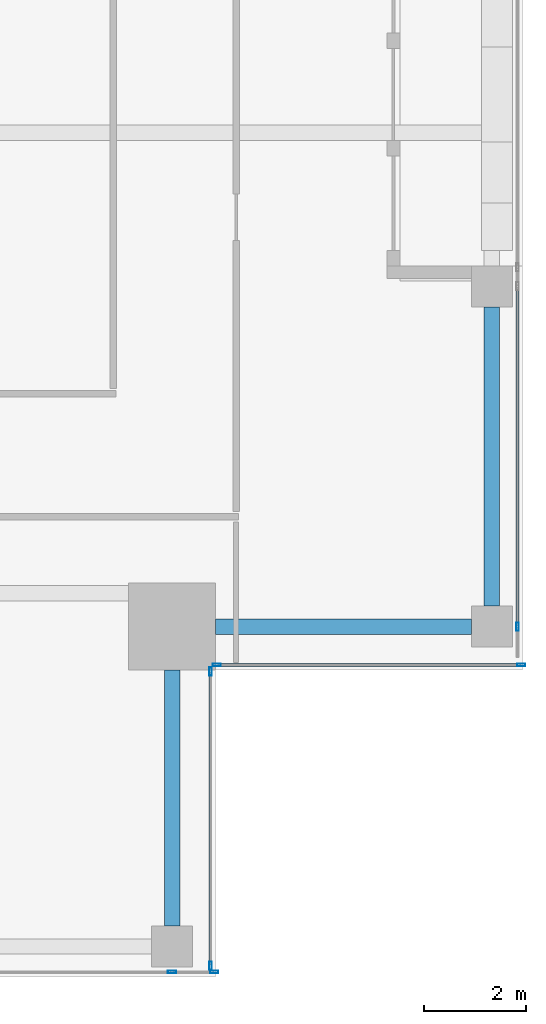
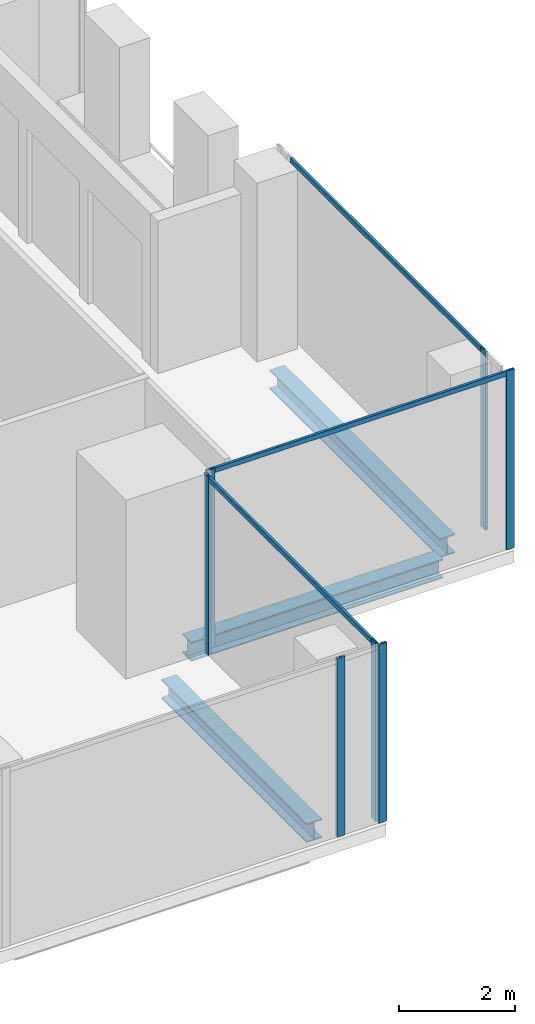
# One storey, part 9 of 29: 10 members, 3 beams, 4 elements without a shape of their own.
"""IFC4 building model written with IfcOpenShell, lengths in metres."""

from ifc_helpers import new_model, si_unit, direction, frame, origin, origin_2d, place, context, subcontext, project, spatial, hollow_rectangle, i_section, extrude, source, transform, mapped, material, material_profile, profile_set, type_object, element, aggregate, save


model = new_model("IFC4")

# Units and contexts
model_context = context("Model", 3, precision=1e-05, world=origin(), true_north=direction((0.0, 1.0)))
body_context = subcontext(model_context, "Body", "Model", "MODEL_VIEW")
ifc_project = project(units=[si_unit("LENGTHUNIT", "METRE"), si_unit("AREAUNIT", "SQUARE_METRE"), si_unit("VOLUMEUNIT", "CUBIC_METRE"), si_unit("PLANEANGLEUNIT", "RADIAN"), si_unit("MASSUNIT", "GRAM", prefix="KILO")], contexts=[model_context])

# Site, building, storey
site_placement = place(None, origin())
site = spatial("IfcSite", under=ifc_project, at=site_placement, CompositionType="ELEMENT")
building_placement = place(site_placement, origin())
building = spatial("IfcBuilding", under=site, at=building_placement, Name="Khomas Fold Tower", CompositionType="ELEMENT")
storey_placement = place(building_placement, frame((0.0, 0.0, 322.199951171875)))
storey = spatial("IfcBuildingStorey", under=building, at=storey_placement, Name="L73", CompositionType="ELEMENT", Elevation=322.199951171875)

# Beams
ifc_material_1 = material(Name="Steel S355", Category="steel")
ifc_material_profile_1 = material_profile(ifc_material_1, i_section(OverallWidth=0.300048828125, OverallDepth=0.39990234375, WebThickness=0.013427734375, FlangeThickness=0.02392578125, at=origin_2d()), Name="HE 400 B")
ifc_profile_set_1 = profile_set([ifc_material_profile_1], Name="Steel S355")
beam_type = type_object("IfcBeamType", Name="HE 400 B spandrel SB5", PredefinedType="SPANDREL", material=ifc_profile_set_1)
shared_shape_1 = source(origin(), body_context, "Body", "SweptSolid", [
    extrude(i_section(OverallWidth=0.300048828125, OverallDepth=0.39990234375, WebThickness=0.013427734375, FlangeThickness=0.02392578125, at=origin_2d()), origin(), (0.0, 0.0, 1.0), 5.85009765625),
])
beam_placement = place(storey_placement, frame((47.39990234375, 13.25, -0.449951171875), z_axis=(0.0, 1.0, 0.0), x_axis=(-1.0, 0.0, 0.0)))
element("IfcBeam", 1, at=beam_placement, inside=storey, type_object=beam_type, Name="SB5", PredefinedType="SPANDREL", context=body_context, shape_type="MappedRepresentation", body=[
    mapped(shared_shape_1, transform((0.0, 0.0, 0.0))),
])
shared_shape_2 = source(origin(), body_context, "Body", "SweptSolid", [
    extrude(i_section(OverallWidth=0.300048828125, OverallDepth=0.39990234375, WebThickness=0.013427734375, FlangeThickness=0.02392578125, at=origin_2d()), origin(), (0.0, 0.0, 1.0), 5.0),
])
for number, where, z_axis, x_axis, name in (
    (2, (41.14990234375, 7.0, -0.449951171875), (0.0, 1.0, 0.0), (-1.0, 0.0, 0.0), "SB5"),
    (3, (42.0, 12.85009765625, -0.449951171875), (1.0, 0.0, 0.0), (0.0, 1.0, 0.0), "SB5"),
):
    element("IfcBeam", number, at=place(storey_placement, frame(where, z_axis=z_axis, x_axis=x_axis)), inside=storey, type_object=beam_type, Name=name, PredefinedType="SPANDREL", context=body_context, shape_type="MappedRepresentation", body=[
        mapped(shared_shape_2, transform((0.0, 0.0, 0.0))),
    ])

# Curtain wall, members
ifc_material_2 = material(Name="Aluminium framed double glazing", Category="aluminium")
curtain_wall_type = type_object("IfcCurtainWallType", Name="SK-Unitised clear-glass wall, upper floors CW3", PredefinedType="NOTDEFINED", material=ifc_material_2)
curtain_wall_1_placement = place(storey_placement, origin())
curtain_wall_1 = element("IfcCurtainWall", 4, at=curtain_wall_1_placement, inside=storey, type_object=curtain_wall_type, Name="CW3 run L73 00-0", PredefinedType="NOTDEFINED")
ifc_material_3 = material(Name="Aluminium", Category="aluminium")
ifc_material_profile_2 = material_profile(ifc_material_3, hollow_rectangle(XDim=0.050048828125, YDim=0.159912109375, WallThickness=0.00390625, at=origin_2d()), Name="SK-Unitised clear-glass wall, upper floors mullion CW3-M")
ifc_profile_set_2 = profile_set([ifc_material_profile_2], Name="Aluminium")
member_type_1 = type_object("IfcMemberType", Name="SK-Unitised clear-glass wall, upper floors mullion CW3-M", PredefinedType="MULLION", material=ifc_profile_set_2)
shared_shape_3 = source(origin(), body_context, "Body", "SweptSolid", [
    extrude(hollow_rectangle(XDim=0.050048828125, YDim=0.159912109375, WallThickness=0.00390625, at=origin_2d()), origin(), (0.0, 0.0, 1.0), 3.75),
])
member_1_placement = place(storey_placement, frame((41.14990234375, 6.10009765625, 0.0), z_axis=(0.0, 0.0, 1.0), x_axis=(0.0, 1.0, 0.0)))
member_1 = element("IfcMember", 5, at=member_1_placement, type_object=member_type_1, Name="CW3 mullion 6", PredefinedType="MULLION", context=body_context, shape_type="MappedRepresentation", body=[
    mapped(shared_shape_3, transform((0.0, 0.0, 0.0))),
])
member_2_placement = place(storey_placement, frame((41.97509765625, 6.10009765625, 0.0), z_axis=(0.0, 0.0, 1.0), x_axis=(0.0, 1.0, 0.0)))
member_2 = element("IfcMember", 6, at=member_2_placement, type_object=member_type_1, Name="CW3 mullion 7", PredefinedType="MULLION", context=body_context, shape_type="MappedRepresentation", body=[
    mapped(shared_shape_3, transform((0.0, 0.0, 0.0))),
])
aggregate(curtain_wall_1, [member_1, member_2])

curtain_wall_2_placement = place(storey_placement, origin())
curtain_wall_2 = element("IfcCurtainWall", 7, at=curtain_wall_2_placement, inside=storey, type_object=curtain_wall_type, Name="CW3 corner return L73 01", PredefinedType="NOTDEFINED")
member_3_placement = place(storey_placement, frame((41.89990234375, 6.22509765625, 0.0), z_axis=(0.0, 0.0, 1.0), x_axis=(-1.0, 0.0, 0.0)))
member_3 = element("IfcMember", 8, at=member_3_placement, type_object=member_type_1, Name="CW3 mullion 1", PredefinedType="MULLION", context=body_context, shape_type="MappedRepresentation", body=[
    mapped(shared_shape_3, transform((0.0, 0.0, 0.0))),
])
member_4_placement = place(storey_placement, frame((41.89990234375, 11.97509765625, 0.0), z_axis=(0.0, 0.0, 1.0), x_axis=(-1.0, 0.0, 0.0)))
member_4 = element("IfcMember", 9, at=member_4_placement, type_object=member_type_1, Name="CW3 mullion 2", PredefinedType="MULLION", context=body_context, shape_type="MappedRepresentation", body=[
    mapped(shared_shape_3, transform((0.0, 0.0, 0.0))),
])

curtain_wall_3_placement = place(storey_placement, origin())
curtain_wall_3 = element("IfcCurtainWall", 10, at=curtain_wall_3_placement, inside=storey, type_object=curtain_wall_type, Name="CW3 corner return L73 02", PredefinedType="NOTDEFINED")
member_5_placement = place(storey_placement, frame((42.02490234375, 12.10009765625, 0.0), z_axis=(0.0, 0.0, 1.0), x_axis=(0.0, 1.0, 0.0)))
member_5 = element("IfcMember", 11, at=member_5_placement, type_object=member_type_1, Name="CW3 mullion 1", PredefinedType="MULLION", context=body_context, shape_type="MappedRepresentation", body=[
    mapped(shared_shape_3, transform((0.0, 0.0, 0.0))),
])
member_6_placement = place(storey_placement, frame((47.97509765625, 12.10009765625, 0.0), z_axis=(0.0, 0.0, 1.0), x_axis=(0.0, 1.0, 0.0)))
member_6 = element("IfcMember", 12, at=member_6_placement, type_object=member_type_1, Name="CW3 mullion 2", PredefinedType="MULLION", context=body_context, shape_type="MappedRepresentation", body=[
    mapped(shared_shape_3, transform((0.0, 0.0, 0.0))),
])

curtain_wall_4_placement = place(storey_placement, origin())
curtain_wall_4 = element("IfcCurtainWall", 13, at=curtain_wall_4_placement, inside=storey, type_object=curtain_wall_type, Name="CW3 run L73 03-0", PredefinedType="NOTDEFINED")
member_7_placement = place(storey_placement, frame((47.89990234375, 12.85009765625, 0.0), z_axis=(0.0, 0.0, 1.0), x_axis=(-1.0, 0.0, 0.0)))
member_7 = element("IfcMember", 14, at=member_7_placement, type_object=member_type_1, Name="CW3 mullion 2", PredefinedType="MULLION", context=body_context, shape_type="MappedRepresentation", body=[
    mapped(shared_shape_3, transform((0.0, 0.0, 0.0))),
])
ifc_material_4 = material(Name="Aluminium", Category="aluminium")
ifc_material_profile_3 = material_profile(ifc_material_4, hollow_rectangle(XDim=0.050048828125, YDim=0.10009765625, WallThickness=0.00390625, at=origin_2d()), Name="SK-Unitised clear-glass wall, upper floors transom CW3-T")
ifc_profile_set_3 = profile_set([ifc_material_profile_3], Name="Aluminium")
member_type_2 = type_object("IfcMemberType", Name="SK-Unitised clear-glass wall, upper floors transom CW3-T", PredefinedType="USERDEFINED", material=ifc_profile_set_3)
shared_shape_4 = source(origin(), body_context, "Body", "SweptSolid", [
    extrude(hollow_rectangle(XDim=0.050048828125, YDim=0.10009765625, WallThickness=0.00390625, at=origin_2d()), origin(), (0.0, 0.0, 1.0), 6.60009765625),
])
member_8_placement = place(storey_placement, frame((47.89990234375, 12.875, 3.699951171875), z_axis=(0.0, 1.0, 0.0), x_axis=(-1.0, 0.0, 0.0)))
member_8 = element("IfcMember", 15, at=member_8_placement, type_object=member_type_2, Name="CW3 transom 2", ObjectType="TRANSOM", PredefinedType="USERDEFINED", context=body_context, shape_type="MappedRepresentation", body=[
    mapped(shared_shape_4, transform((0.0, 0.0, 0.0))),
])
aggregate(curtain_wall_4, [member_7, member_8])

# Member
shared_shape_5 = source(origin(), body_context, "Body", "SweptSolid", [
    extrude(hollow_rectangle(XDim=0.050048828125, YDim=0.10009765625, WallThickness=0.00390625, at=origin_2d()), origin(), (0.0, 0.0, 1.0), 5.699951171875),
])
member_9_placement = place(storey_placement, frame((41.89990234375, 6.25, 3.699951171875), z_axis=(0.0, 1.0, 0.0), x_axis=(-1.0, 0.0, 0.0)))
member_9 = element("IfcMember", 16, at=member_9_placement, type_object=member_type_2, Name="CW3 transom 1", ObjectType="TRANSOM", PredefinedType="USERDEFINED", context=body_context, shape_type="MappedRepresentation", body=[
    mapped(shared_shape_5, transform((0.0, 0.0, 0.0))),
])

aggregate(curtain_wall_2, [member_3, member_4, member_9])

shared_shape_6 = source(origin(), body_context, "Body", "SweptSolid", [
    extrude(hollow_rectangle(XDim=0.050048828125, YDim=0.10009765625, WallThickness=0.00390625, at=origin_2d()), origin(), (0.0, 0.0, 1.0), 5.89990234375),
])
member_10_placement = place(storey_placement, frame((42.050048828125, 12.10009765625, 3.699951171875), z_axis=(1.0, 0.0, 0.0), x_axis=(0.0, 1.0, 0.0)))
member_10 = element("IfcMember", 17, at=member_10_placement, type_object=member_type_2, Name="CW3 transom 1", ObjectType="TRANSOM", PredefinedType="USERDEFINED", context=body_context, shape_type="MappedRepresentation", body=[
    mapped(shared_shape_6, transform((0.0, 0.0, 0.0))),
])

aggregate(curtain_wall_3, [member_5, member_6, member_10])

save(model, "model.ifc")
